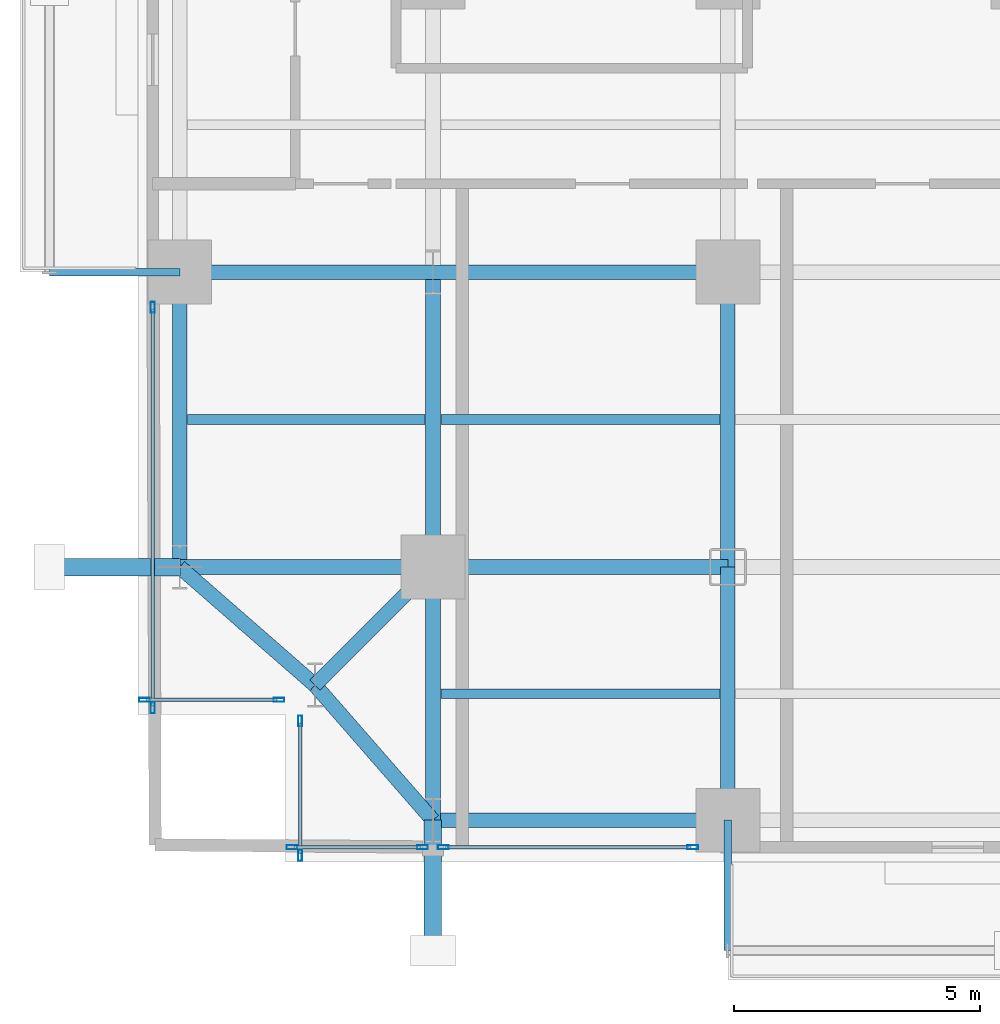
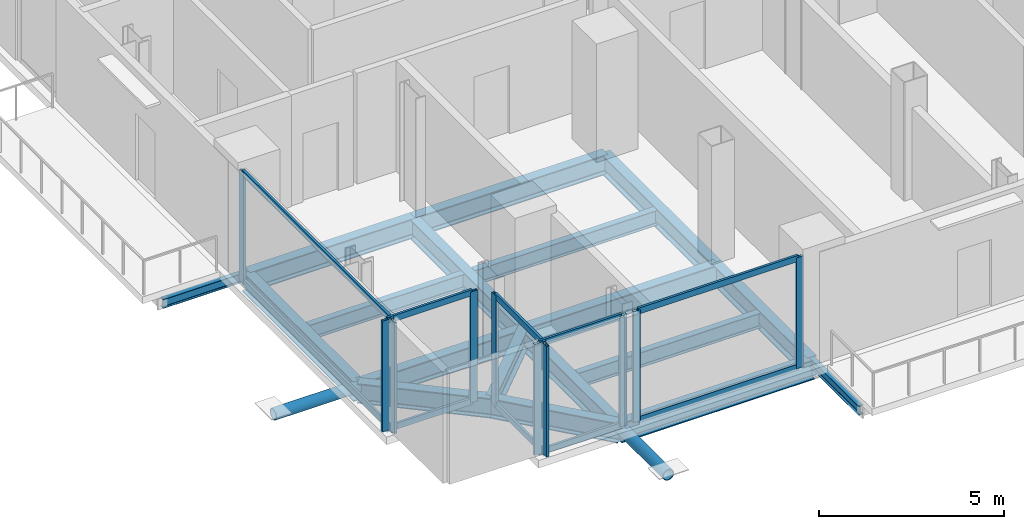
# One storey, part 2 of 25: 22 members, 18 beams, 5 elements without a shape of their own.
"""IFC4 building model written with IfcOpenShell, lengths in metres."""

from ifc_helpers import new_model, si_unit, direction, frame, origin, origin_2d, place, context, subcontext, project, spatial, hollow_rectangle, hollow_circle, i_section, extrude, material, layer, layer_set, material_profile, profile_set, type_object, element, aggregate, save


model = new_model("IFC4")

# Units and contexts
model_context = context("Model", 3, precision=1e-05, world=origin(), true_north=direction((0.0, 1.0)))
body_context = subcontext(model_context, "Body", "Model", "MODEL_VIEW")
ifc_project = project(units=[si_unit("LENGTHUNIT", "METRE"), si_unit("AREAUNIT", "SQUARE_METRE"), si_unit("VOLUMEUNIT", "CUBIC_METRE"), si_unit("PLANEANGLEUNIT", "RADIAN"), si_unit("MASSUNIT", "GRAM", prefix="KILO"), si_unit("THERMODYNAMICTEMPERATUREUNIT", "KELVIN"), si_unit("POWERUNIT", "WATT")], contexts=[model_context])

# Site, building, storey
site_placement = place(None, origin())
site = spatial("IfcSite", under=ifc_project, at=site_placement, CompositionType="ELEMENT")
building_placement = place(site_placement, origin())
building = spatial("IfcBuilding", under=site, at=building_placement, Name="Svarakhadi Broadcast Tower", CompositionType="ELEMENT")
storey_placement = place(building_placement, frame((0.0, 0.0, 79.199951171875)))
storey = spatial("IfcBuildingStorey", under=building, at=storey_placement, Name="L18", CompositionType="ELEMENT", Elevation=79.199951171875)

# Beams
ifc_material_1 = material(Name="Steel S355J2 (IS 2062 E350C)", Category="steel")
ifc_material_profile_1 = material_profile(ifc_material_1, i_section(OverallWidth=0.199951171875, OverallDepth=0.5, WebThickness=0.01025390625, FlangeThickness=0.01611328125, FilletRadius=0.02099609375, at=origin_2d()), Name="NPB 500x200x91")
ifc_profile_set_1 = profile_set([ifc_material_profile_1], Name="Steel S355J2 (IS 2062 E350C)")
beam_type_1 = type_object("IfcBeamType", Name="Beam_NPB500", PredefinedType="BEAM", material=ifc_profile_set_1)
beam_1_placement = place(storey_placement, frame((1.010009765625, 9.0, -0.5), z_axis=(1.0, 0.0, 0.0), x_axis=(0.0, 1.0, 0.0)))
element("IfcBeam", 1, at=beam_1_placement, inside=storey, type_object=beam_type_1, Name="L18 Secondary Composite Beam SB001", PredefinedType="BEAM", context=body_context, shape_type="SweptSolid", body=[
    extrude(i_section(OverallWidth=0.199951171875, OverallDepth=0.5, WebThickness=0.01025390625, FlangeThickness=0.01611328125, FilletRadius=0.02099609375, at=origin_2d()), origin(), (0.0, 0.0, 1.0), 4.830078125),
])
for number, where, z_axis, x_axis, name in (
    (2, (6.159912109375, 3.425048828125, -0.5), (1.0, 0.0, 0.0), (0.0, 1.0, 0.0), "L18 Secondary Composite Beam SB007"),
    (3, (6.159912109375, 9.0, -0.5), (1.0, 0.0, 0.0), (0.0, 1.0, 0.0), "L18 Secondary Composite Beam SB008"),
):
    element("IfcBeam", number, at=place(storey_placement, frame(where, z_axis=z_axis, x_axis=x_axis)), inside=storey, type_object=beam_type_1, Name=name, PredefinedType="BEAM", context=body_context, shape_type="SweptSolid", body=[
        extrude(i_section(OverallWidth=0.199951171875, OverallDepth=0.5, WebThickness=0.01025390625, FlangeThickness=0.01611328125, FilletRadius=0.02099609375, at=origin_2d()), origin(), (0.0, 0.0, 1.0), 5.68017578125),
    ])

# Curtain wall, members
ifc_material_2 = material(Name="Anodised Bronze Aluminium AA 6063-T6", Category="aluminium")
ifc_layer = layer(ifc_material_2, 0.219970703125)
ifc_layer_set = layer_set([ifc_layer], Name="Anodised Bronze Aluminium AA 6063-T6")
curtain_wall_type = type_object("IfcCurtainWallType", Name="CW_Sys_02", PredefinedType="NOTDEFINED", material=ifc_layer_set)
curtain_wall_1_placement = place(storey_placement, origin())
curtain_wall_1 = element("IfcCurtainWall", 4, at=curtain_wall_1_placement, inside=storey, type_object=curtain_wall_type, Name="L18 Unitised Facade Curtain Wall 01", PredefinedType="NOTDEFINED")
ifc_material_profile_2 = material_profile(ifc_material_2, hollow_rectangle(XDim=0.0849609375, YDim=0.219970703125, WallThickness=0.006103515625, at=origin_2d()), Name="ALU MULLION 220x85x6")
ifc_profile_set_2 = profile_set([ifc_material_profile_2], Name="Anodised Bronze Aluminium AA 6063-T6")
member_type_1 = type_object("IfcMemberType", Name="CW_Sys_02_Mul", PredefinedType="MULLION", material=ifc_profile_set_2)
member_1_placement = place(storey_placement, frame((2.867431640625, 3.300048828125, 0.0), z_axis=(0.0, 0.0, 1.0), x_axis=(0.0, -1.0, 0.0)))
member_1 = element("IfcMember", 5, at=member_1_placement, type_object=member_type_1, Name="CW-02 mullion 1", PredefinedType="MULLION", context=body_context, shape_type="SweptSolid", body=[
    extrude(hollow_rectangle(XDim=0.0849609375, YDim=0.219970703125, WallThickness=0.006103515625, at=origin_2d()), origin(), (0.0, 0.0, 1.0), 3.650146484375),
])
member_2_placement = place(storey_placement, frame((0.132568359375, 3.300048828125, 0.0), z_axis=(0.0, 0.0, 1.0), x_axis=(0.0, -1.0, 0.0)))
member_2 = element("IfcMember", 6, at=member_2_placement, type_object=member_type_1, Name="CW-02 mullion 2", PredefinedType="MULLION", context=body_context, shape_type="SweptSolid", body=[
    extrude(hollow_rectangle(XDim=0.0849609375, YDim=0.219970703125, WallThickness=0.006103515625, at=origin_2d()), origin(), (0.0, 0.0, 1.0), 3.650146484375),
])

curtain_wall_2_placement = place(storey_placement, origin())
curtain_wall_2 = element("IfcCurtainWall", 7, at=curtain_wall_2_placement, inside=storey, type_object=curtain_wall_type, Name="L18 West Curtain Wall 02", PredefinedType="NOTDEFINED")
member_3_placement = place(storey_placement, frame((0.300048828125, 3.132568359375, 0.0), z_axis=(0.0, 0.0, 1.0), x_axis=(-1.0, 0.0, 0.0)))
member_3 = element("IfcMember", 8, at=member_3_placement, type_object=member_type_1, Name="CW-02 mullion 1", PredefinedType="MULLION", context=body_context, shape_type="SweptSolid", body=[
    extrude(hollow_rectangle(XDim=0.0849609375, YDim=0.219970703125, WallThickness=0.006103515625, at=origin_2d()), origin(), (0.0, 0.0, 1.0), 3.650146484375),
])
member_4_placement = place(storey_placement, frame((0.300048828125, 11.28759765625, 0.0), z_axis=(0.0, 0.0, 1.0), x_axis=(-1.0, 0.0, 0.0)))
member_4 = element("IfcMember", 9, at=member_4_placement, type_object=member_type_1, Name="CW-02 mullion 2", PredefinedType="MULLION", context=body_context, shape_type="SweptSolid", body=[
    extrude(hollow_rectangle(XDim=0.0849609375, YDim=0.219970703125, WallThickness=0.006103515625, at=origin_2d()), origin(), (0.0, 0.0, 1.0), 3.650146484375),
])

curtain_wall_3_placement = place(storey_placement, origin())
curtain_wall_3 = element("IfcCurtainWall", 10, at=curtain_wall_3_placement, inside=storey, type_object=curtain_wall_type, Name="L18 South Curtain Wall 17 Bay 1", PredefinedType="NOTDEFINED")
member_5_placement = place(storey_placement, frame((11.28759765625, 0.300048828125, 0.0), z_axis=(0.0, 0.0, 1.0), x_axis=(0.0, -1.0, 0.0)))
member_5 = element("IfcMember", 11, at=member_5_placement, type_object=member_type_1, Name="CW-02 mullion 1", PredefinedType="MULLION", context=body_context, shape_type="SweptSolid", body=[
    extrude(hollow_rectangle(XDim=0.0849609375, YDim=0.219970703125, WallThickness=0.006103515625, at=origin_2d()), origin(), (0.0, 0.0, 1.0), 3.650146484375),
])
member_6_placement = place(storey_placement, frame((6.21240234375, 0.300048828125, 0.0), z_axis=(0.0, 0.0, 1.0), x_axis=(0.0, -1.0, 0.0)))
member_6 = element("IfcMember", 12, at=member_6_placement, type_object=member_type_1, Name="CW-02 mullion 2", PredefinedType="MULLION", context=body_context, shape_type="SweptSolid", body=[
    extrude(hollow_rectangle(XDim=0.0849609375, YDim=0.219970703125, WallThickness=0.006103515625, at=origin_2d()), origin(), (0.0, 0.0, 1.0), 3.650146484375),
])

curtain_wall_4_placement = place(storey_placement, origin())
curtain_wall_4 = element("IfcCurtainWall", 13, at=curtain_wall_4_placement, inside=storey, type_object=curtain_wall_type, Name="L18 South Curtain Wall 17 Bay 2", PredefinedType="NOTDEFINED")
member_7_placement = place(storey_placement, frame((5.78759765625, 0.300048828125, 0.0), z_axis=(0.0, 0.0, 1.0), x_axis=(0.0, -1.0, 0.0)))
member_7 = element("IfcMember", 14, at=member_7_placement, type_object=member_type_1, Name="CW-02 mullion 1", PredefinedType="MULLION", context=body_context, shape_type="SweptSolid", body=[
    extrude(hollow_rectangle(XDim=0.0849609375, YDim=0.219970703125, WallThickness=0.006103515625, at=origin_2d()), origin(), (0.0, 0.0, 1.0), 3.650146484375),
])
member_8_placement = place(storey_placement, frame((3.132568359375, 0.300048828125, 0.0), z_axis=(0.0, 0.0, 1.0), x_axis=(0.0, -1.0, 0.0)))
member_8 = element("IfcMember", 15, at=member_8_placement, type_object=member_type_1, Name="CW-02 mullion 2", PredefinedType="MULLION", context=body_context, shape_type="SweptSolid", body=[
    extrude(hollow_rectangle(XDim=0.0849609375, YDim=0.219970703125, WallThickness=0.006103515625, at=origin_2d()), origin(), (0.0, 0.0, 1.0), 3.650146484375),
])

curtain_wall_5_placement = place(storey_placement, origin())
curtain_wall_5 = element("IfcCurtainWall", 16, at=curtain_wall_5_placement, inside=storey, type_object=curtain_wall_type, Name="L18 Unitised Facade Curtain Wall 18", PredefinedType="NOTDEFINED")
member_9_placement = place(storey_placement, frame((3.300048828125, 0.132568359375, 0.0), z_axis=(0.0, 0.0, 1.0), x_axis=(-1.0, 0.0, 0.0)))
member_9 = element("IfcMember", 17, at=member_9_placement, type_object=member_type_1, Name="CW-02 mullion 1", PredefinedType="MULLION", context=body_context, shape_type="SweptSolid", body=[
    extrude(hollow_rectangle(XDim=0.0849609375, YDim=0.219970703125, WallThickness=0.006103515625, at=origin_2d()), origin(), (0.0, 0.0, 1.0), 3.650146484375),
])
member_10_placement = place(storey_placement, frame((3.300048828125, 2.867431640625, 0.0), z_axis=(0.0, 0.0, 1.0), x_axis=(-1.0, 0.0, 0.0)))
member_10 = element("IfcMember", 18, at=member_10_placement, type_object=member_type_1, Name="CW-02 mullion 2", PredefinedType="MULLION", context=body_context, shape_type="SweptSolid", body=[
    extrude(hollow_rectangle(XDim=0.0849609375, YDim=0.219970703125, WallThickness=0.006103515625, at=origin_2d()), origin(), (0.0, 0.0, 1.0), 3.650146484375),
])

# Member
ifc_material_profile_3 = material_profile(ifc_material_2, hollow_rectangle(XDim=0.074951171875, YDim=0.199951171875, WallThickness=0.0048828125, at=origin_2d()), Name="ALU TRANSOM 200x75x5")
ifc_profile_set_3 = profile_set([ifc_material_profile_3], Name="Anodised Bronze Aluminium AA 6063-T6")
member_type_2 = type_object("IfcMemberType", Name="CW_Sys_02_Trn", PredefinedType="USERDEFINED", material=ifc_profile_set_3)
member_11_placement = place(storey_placement, frame((2.824951171875, 3.300048828125, 0.03759765625), z_axis=(-1.0, 0.0, 0.0), x_axis=(0.0, -1.0, 0.0)))
member_11 = element("IfcMember", 19, at=member_11_placement, type_object=member_type_2, Name="CW-02 transom 1.1", ObjectType="TRANSOM", PredefinedType="USERDEFINED", context=body_context, shape_type="SweptSolid", body=[
    extrude(hollow_rectangle(XDim=0.074951171875, YDim=0.199951171875, WallThickness=0.0048828125, at=origin_2d()), origin(), (0.0, 0.0, 1.0), 2.64990234375),
])

member_12_placement = place(storey_placement, frame((2.824951171875, 3.300048828125, 3.612548828125), z_axis=(-1.0, 0.0, 0.0), x_axis=(0.0, -1.0, 0.0)))
member_12 = element("IfcMember", 20, at=member_12_placement, type_object=member_type_2, Name="CW-02 transom 1.2", ObjectType="TRANSOM", PredefinedType="USERDEFINED", context=body_context, shape_type="SweptSolid", body=[
    extrude(hollow_rectangle(XDim=0.074951171875, YDim=0.199951171875, WallThickness=0.0048828125, at=origin_2d()), origin(), (0.0, 0.0, 1.0), 2.64990234375),
])

aggregate(curtain_wall_1, [member_1, member_2, member_11, member_12])

member_13_placement = place(storey_placement, frame((0.300048828125, 3.175048828125, 0.03759765625), z_axis=(0.0, 1.0, 0.0), x_axis=(-1.0, 0.0, 0.0)))
member_13 = element("IfcMember", 21, at=member_13_placement, type_object=member_type_2, Name="CW-02 transom 1.1", ObjectType="TRANSOM", PredefinedType="USERDEFINED", context=body_context, shape_type="SweptSolid", body=[
    extrude(hollow_rectangle(XDim=0.074951171875, YDim=0.199951171875, WallThickness=0.0048828125, at=origin_2d()), origin(), (0.0, 0.0, 1.0), 8.070068359375),
])

member_14_placement = place(storey_placement, frame((0.300048828125, 3.175048828125, 3.612548828125), z_axis=(0.0, 1.0, 0.0), x_axis=(-1.0, 0.0, 0.0)))
member_14 = element("IfcMember", 22, at=member_14_placement, type_object=member_type_2, Name="CW-02 transom 1.2", ObjectType="TRANSOM", PredefinedType="USERDEFINED", context=body_context, shape_type="SweptSolid", body=[
    extrude(hollow_rectangle(XDim=0.074951171875, YDim=0.199951171875, WallThickness=0.0048828125, at=origin_2d()), origin(), (0.0, 0.0, 1.0), 8.070068359375),
])

aggregate(curtain_wall_2, [member_3, member_4, member_13, member_14])

member_15_placement = place(storey_placement, frame((11.2451171875, 0.300048828125, 0.03759765625), z_axis=(-1.0, 0.0, 0.0), x_axis=(0.0, -1.0, 0.0)))
member_15 = element("IfcMember", 23, at=member_15_placement, type_object=member_type_2, Name="CW-02 transom 1.1", ObjectType="TRANSOM", PredefinedType="USERDEFINED", context=body_context, shape_type="SweptSolid", body=[
    extrude(hollow_rectangle(XDim=0.074951171875, YDim=0.199951171875, WallThickness=0.0048828125, at=origin_2d()), origin(), (0.0, 0.0, 1.0), 4.990234375),
])

member_16_placement = place(storey_placement, frame((11.2451171875, 0.300048828125, 3.612548828125), z_axis=(-1.0, 0.0, 0.0), x_axis=(0.0, -1.0, 0.0)))
member_16 = element("IfcMember", 24, at=member_16_placement, type_object=member_type_2, Name="CW-02 transom 1.2", ObjectType="TRANSOM", PredefinedType="USERDEFINED", context=body_context, shape_type="SweptSolid", body=[
    extrude(hollow_rectangle(XDim=0.074951171875, YDim=0.199951171875, WallThickness=0.0048828125, at=origin_2d()), origin(), (0.0, 0.0, 1.0), 4.990234375),
])

aggregate(curtain_wall_3, [member_5, member_6, member_15, member_16])

member_17_placement = place(storey_placement, frame((5.7451171875, 0.300048828125, 0.03759765625), z_axis=(-1.0, 0.0, 0.0), x_axis=(0.0, -1.0, 0.0)))
member_17 = element("IfcMember", 25, at=member_17_placement, type_object=member_type_2, Name="CW-02 transom 1.1", ObjectType="TRANSOM", PredefinedType="USERDEFINED", context=body_context, shape_type="SweptSolid", body=[
    extrude(hollow_rectangle(XDim=0.074951171875, YDim=0.199951171875, WallThickness=0.0048828125, at=origin_2d()), origin(), (0.0, 0.0, 1.0), 2.570068359375),
])

member_18_placement = place(storey_placement, frame((5.7451171875, 0.300048828125, 3.612548828125), z_axis=(-1.0, 0.0, 0.0), x_axis=(0.0, -1.0, 0.0)))
member_18 = element("IfcMember", 26, at=member_18_placement, type_object=member_type_2, Name="CW-02 transom 1.2", ObjectType="TRANSOM", PredefinedType="USERDEFINED", context=body_context, shape_type="SweptSolid", body=[
    extrude(hollow_rectangle(XDim=0.074951171875, YDim=0.199951171875, WallThickness=0.0048828125, at=origin_2d()), origin(), (0.0, 0.0, 1.0), 2.570068359375),
])

aggregate(curtain_wall_4, [member_7, member_8, member_17, member_18])

member_19_placement = place(storey_placement, frame((3.300048828125, 0.175048828125, 0.03759765625), z_axis=(0.0, 1.0, 0.0), x_axis=(-1.0, 0.0, 0.0)))
member_19 = element("IfcMember", 27, at=member_19_placement, type_object=member_type_2, Name="CW-02 transom 1.1", ObjectType="TRANSOM", PredefinedType="USERDEFINED", context=body_context, shape_type="SweptSolid", body=[
    extrude(hollow_rectangle(XDim=0.074951171875, YDim=0.199951171875, WallThickness=0.0048828125, at=origin_2d()), origin(), (0.0, 0.0, 1.0), 2.64990234375),
])

member_20_placement = place(storey_placement, frame((3.300048828125, 0.175048828125, 3.612548828125), z_axis=(0.0, 1.0, 0.0), x_axis=(-1.0, 0.0, 0.0)))
member_20 = element("IfcMember", 28, at=member_20_placement, type_object=member_type_2, Name="CW-02 transom 1.2", ObjectType="TRANSOM", PredefinedType="USERDEFINED", context=body_context, shape_type="SweptSolid", body=[
    extrude(hollow_rectangle(XDim=0.074951171875, YDim=0.199951171875, WallThickness=0.0048828125, at=origin_2d()), origin(), (0.0, 0.0, 1.0), 2.64990234375),
])

aggregate(curtain_wall_5, [member_9, member_10, member_19, member_20])

# Members
ifc_material_3 = material(Name="Steel S460ML (IS 2062 E450BR)", Category="steel")
ifc_material_profile_4 = material_profile(ifc_material_3, hollow_circle(Radius=0.177734375, WallThickness=0.02001953125, at=origin_2d()), Name="CHS 355.6x20")
ifc_profile_set_4 = profile_set([ifc_material_profile_4], Name="Steel S460ML (IS 2062 E450BR)")
member_type_3 = type_object("IfcMemberType", Name="Exo_Radial_Strut_Z1", PredefinedType="STRUT", material=ifc_profile_set_4)
for number, where, z_axis, x_axis, name in (
    (29, (6.0, -1.800048828125, -0.427734375), (0.0, 1.0, 0.0), (-1.0, 0.0, 0.0), "L18 Exoskeleton Radial Tie Strut S01"),
    (30, (-1.800048828125, 6.0, -0.427734375), (1.0, 0.0, 0.0), (0.0, 1.0, 0.0), "L18 Exoskeleton Radial Tie Strut W05"),
):
    element("IfcMember", number, at=place(storey_placement, frame(where, z_axis=z_axis, x_axis=x_axis)), inside=storey, type_object=member_type_3, Name=name, PredefinedType="STRUT", context=body_context, shape_type="SweptSolid", body=[
        extrude(hollow_circle(Radius=0.177734375, WallThickness=0.02001953125, at=origin_2d()), origin(), (0.0, 0.0, 1.0), 2.650146484375),
    ])

# Beams
ifc_material_profile_5 = material_profile(ifc_material_1, i_section(OverallWidth=0.300048828125, OverallDepth=0.64990234375, WebThickness=0.01611328125, FlangeThickness=0.031005859375, FilletRadius=0.027099609375, at=origin_2d()), Name="WPB 650x300x225")
ifc_profile_set_5 = profile_set([ifc_material_profile_5], Name="Steel S355J2 (IS 2062 E350C)")
beam_type_2 = type_object("IfcBeamType", Name="Girder_WPB650", PredefinedType="USERDEFINED", material=ifc_profile_set_5)
beam_2_placement = place(storey_placement, frame((3.60009765625, 3.60009765625, -0.574951171875), z_axis=(0.707106781187, 0.707106781187, 0.0), x_axis=(-0.707106781187, 0.707106781187, 0.0)))
element("IfcBeam", 31, at=beam_2_placement, inside=storey, type_object=beam_type_2, Name="L18 Corner Tie Girder G001", ObjectType="GIRDER", PredefinedType="USERDEFINED", context=body_context, shape_type="SweptSolid", body=[
    extrude(i_section(OverallWidth=0.300048828125, OverallDepth=0.64990234375, WebThickness=0.01611328125, FlangeThickness=0.031005859375, FilletRadius=0.027099609375, at=origin_2d()), origin(), (0.0, 0.0, 1.0), 3.39404296875),
])
for number, where, z_axis, x_axis, name in (
    (32, (3.60009765625, 3.60009765625, -0.574951171875), (-0.753437912176, 0.657519058655, 0.0), (-0.657519058655, -0.753437912176, 0.0), "L18 Corner Tie Girder G002"),
    (33, (3.60009765625, 3.60009765625, -0.574951171875), (0.657519058655, -0.753437912176, 0.0), (0.753437912176, 0.657519058655, 0.0), "L18 Corner Tie Girder G003"),
):
    element("IfcBeam", number, at=place(storey_placement, frame(where, z_axis=z_axis, x_axis=x_axis)), inside=storey, type_object=beam_type_2, Name=name, ObjectType="GIRDER", PredefinedType="USERDEFINED", context=body_context, shape_type="SweptSolid", body=[
        extrude(i_section(OverallWidth=0.300048828125, OverallDepth=0.64990234375, WebThickness=0.01611328125, FlangeThickness=0.031005859375, FilletRadius=0.027099609375, at=origin_2d()), origin(), (0.0, 0.0, 1.0), 3.64990234375),
    ])
beam_3_placement = place(storey_placement, frame((6.0, 0.85009765625, -0.574951171875), z_axis=(1.0, 0.0, 0.0), x_axis=(0.0, 1.0, 0.0)))
element("IfcBeam", 34, at=beam_3_placement, inside=storey, type_object=beam_type_2, Name="L18 Primary E-W Girder G004", ObjectType="GIRDER", PredefinedType="USERDEFINED", context=body_context, shape_type="SweptSolid", body=[
    extrude(i_section(OverallWidth=0.300048828125, OverallDepth=0.64990234375, WebThickness=0.01611328125, FlangeThickness=0.031005859375, FilletRadius=0.027099609375, at=origin_2d()), origin(), (0.0, 0.0, 1.0), 6.0),
])
beam_4_placement = place(storey_placement, frame((0.85009765625, 6.0, -0.574951171875), z_axis=(1.0, 0.0, 0.0), x_axis=(0.0, 1.0, 0.0)))
element("IfcBeam", 35, at=beam_4_placement, inside=storey, type_object=beam_type_2, Name="L18 Primary E-W Girder G011", ObjectType="GIRDER", PredefinedType="USERDEFINED", context=body_context, shape_type="SweptSolid", body=[
    extrude(i_section(OverallWidth=0.300048828125, OverallDepth=0.64990234375, WebThickness=0.01611328125, FlangeThickness=0.031005859375, FilletRadius=0.027099609375, at=origin_2d()), origin(), (0.0, 0.0, 1.0), 5.14990234375),
])
beam_5_placement = place(storey_placement, frame((6.0, 6.0, -0.574951171875), z_axis=(1.0, 0.0, 0.0), x_axis=(0.0, 1.0, 0.0)))
element("IfcBeam", 36, at=beam_5_placement, inside=storey, type_object=beam_type_2, Name="L18 Primary E-W Girder G012", ObjectType="GIRDER", PredefinedType="USERDEFINED", context=body_context, shape_type="SweptSolid", body=[
    extrude(i_section(OverallWidth=0.300048828125, OverallDepth=0.64990234375, WebThickness=0.01611328125, FlangeThickness=0.031005859375, FilletRadius=0.027099609375, at=origin_2d()), origin(), (0.0, 0.0, 1.0), 6.0),
])
beam_6_placement = place(storey_placement, frame((0.85009765625, 12.0, -0.574951171875), z_axis=(1.0, 0.0, 0.0), x_axis=(0.0, 1.0, 0.0)))
element("IfcBeam", 37, at=beam_6_placement, inside=storey, type_object=beam_type_2, Name="L18 Primary E-W Girder G019", ObjectType="GIRDER", PredefinedType="USERDEFINED", context=body_context, shape_type="SweptSolid", body=[
    extrude(i_section(OverallWidth=0.300048828125, OverallDepth=0.64990234375, WebThickness=0.01611328125, FlangeThickness=0.031005859375, FilletRadius=0.027099609375, at=origin_2d()), origin(), (0.0, 0.0, 1.0), 5.14990234375),
])
for number, where, z_axis, x_axis, name in (
    (38, (6.0, 12.0, -0.574951171875), (1.0, 0.0, 0.0), (0.0, 1.0, 0.0), "L18 Primary E-W Girder G020"),
    (39, (0.85009765625, 6.0, -0.574951171875), (0.0, 1.0, 0.0), (-1.0, 0.0, 0.0), "L18 Primary N-S Girder G045"),
):
    element("IfcBeam", number, at=place(storey_placement, frame(where, z_axis=z_axis, x_axis=x_axis)), inside=storey, type_object=beam_type_2, Name=name, ObjectType="GIRDER", PredefinedType="USERDEFINED", context=body_context, shape_type="SweptSolid", body=[
        extrude(i_section(OverallWidth=0.300048828125, OverallDepth=0.64990234375, WebThickness=0.01611328125, FlangeThickness=0.031005859375, FilletRadius=0.027099609375, at=origin_2d()), origin(), (0.0, 0.0, 1.0), 6.0),
    ])
beam_7_placement = place(storey_placement, frame((6.0, 0.85009765625, -0.574951171875), z_axis=(0.0, 1.0, 0.0), x_axis=(-1.0, 0.0, 0.0)))
element("IfcBeam", 40, at=beam_7_placement, inside=storey, type_object=beam_type_2, Name="L18 Primary N-S Girder G051", ObjectType="GIRDER", PredefinedType="USERDEFINED", context=body_context, shape_type="SweptSolid", body=[
    extrude(i_section(OverallWidth=0.300048828125, OverallDepth=0.64990234375, WebThickness=0.01611328125, FlangeThickness=0.031005859375, FilletRadius=0.027099609375, at=origin_2d()), origin(), (0.0, 0.0, 1.0), 5.14990234375),
])
beam_8_placement = place(storey_placement, frame((6.0, 6.0, -0.574951171875), z_axis=(0.0, 1.0, 0.0), x_axis=(-1.0, 0.0, 0.0)))
element("IfcBeam", 41, at=beam_8_placement, inside=storey, type_object=beam_type_2, Name="L18 Primary N-S Girder G052", ObjectType="GIRDER", PredefinedType="USERDEFINED", context=body_context, shape_type="SweptSolid", body=[
    extrude(i_section(OverallWidth=0.300048828125, OverallDepth=0.64990234375, WebThickness=0.01611328125, FlangeThickness=0.031005859375, FilletRadius=0.027099609375, at=origin_2d()), origin(), (0.0, 0.0, 1.0), 6.0),
])
beam_9_placement = place(storey_placement, frame((12.0, 0.85009765625, -0.574951171875), z_axis=(0.0, 1.0, 0.0), x_axis=(-1.0, 0.0, 0.0)))
element("IfcBeam", 42, at=beam_9_placement, inside=storey, type_object=beam_type_2, Name="L18 Primary N-S Girder G058", ObjectType="GIRDER", PredefinedType="USERDEFINED", context=body_context, shape_type="SweptSolid", body=[
    extrude(i_section(OverallWidth=0.300048828125, OverallDepth=0.64990234375, WebThickness=0.01611328125, FlangeThickness=0.031005859375, FilletRadius=0.027099609375, at=origin_2d()), origin(), (0.0, 0.0, 1.0), 5.14990234375),
])
beam_10_placement = place(storey_placement, frame((12.0, 6.0, -0.574951171875), z_axis=(0.0, 1.0, 0.0), x_axis=(-1.0, 0.0, 0.0)))
element("IfcBeam", 43, at=beam_10_placement, inside=storey, type_object=beam_type_2, Name="L18 Primary N-S Girder G059", ObjectType="GIRDER", PredefinedType="USERDEFINED", context=body_context, shape_type="SweptSolid", body=[
    extrude(i_section(OverallWidth=0.300048828125, OverallDepth=0.64990234375, WebThickness=0.01611328125, FlangeThickness=0.031005859375, FilletRadius=0.027099609375, at=origin_2d()), origin(), (0.0, 0.0, 1.0), 6.0),
])
ifc_material_profile_6 = material_profile(ifc_material_1, i_section(OverallWidth=0.14990234375, OverallDepth=0.300048828125, WebThickness=0.007080078125, FlangeThickness=0.0107421875, FilletRadius=0.014892578125, at=origin_2d()), Name="NPB 300x150x37")
ifc_profile_set_6 = profile_set([ifc_material_profile_6], Name="Steel S355J2 (IS 2062 E350C)")
beam_type_3 = type_object("IfcBeamType", Name="Spandrel_NPB300", PredefinedType="SPANDREL", material=ifc_profile_set_6)
for number, where, z_axis, x_axis, name in (
    (44, (12.0, 0.85009765625, -0.39990234375), (0.0, -1.0, 0.0), (1.0, 0.0, 0.0), "L18 Balcony Cantilever Bracket 1A"),
    (45, (0.85009765625, 12.0, -0.39990234375), (-1.0, 0.0, 0.0), (0.0, -1.0, 0.0), "L18 Balcony Cantilever Bracket 2A"),
):
    element("IfcBeam", number, at=place(storey_placement, frame(where, z_axis=z_axis, x_axis=x_axis)), inside=storey, type_object=beam_type_3, Name=name, PredefinedType="SPANDREL", context=body_context, shape_type="SweptSolid", body=[
        extrude(i_section(OverallWidth=0.14990234375, OverallDepth=0.300048828125, WebThickness=0.007080078125, FlangeThickness=0.0107421875, FilletRadius=0.014892578125, at=origin_2d()), origin(), (0.0, 0.0, 1.0), 2.650146484375),
    ])

save(model, "model.ifc")
